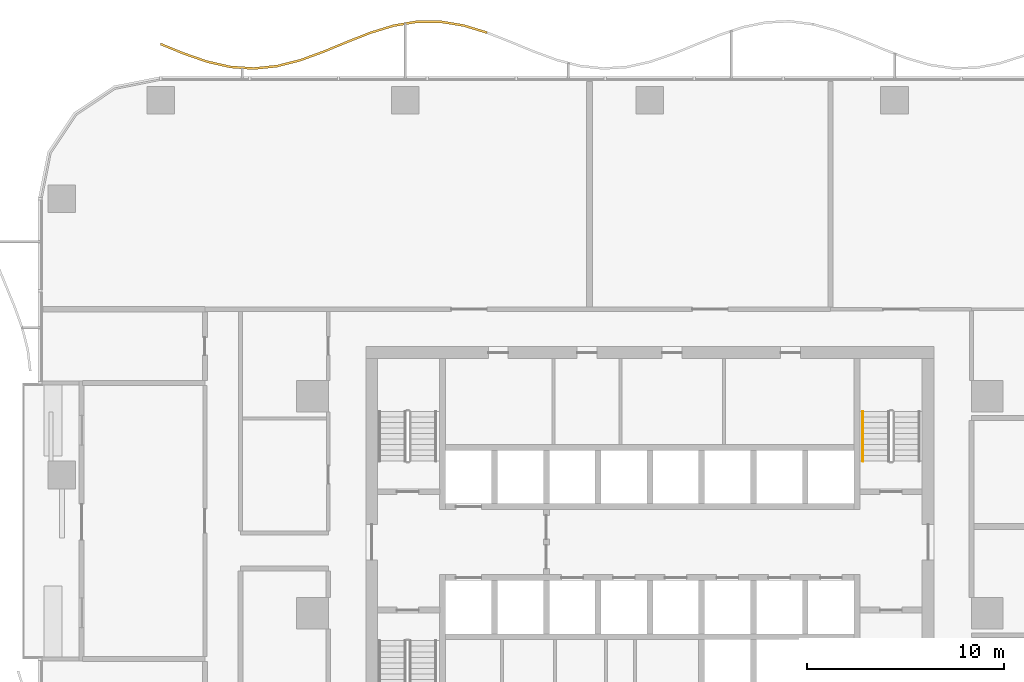
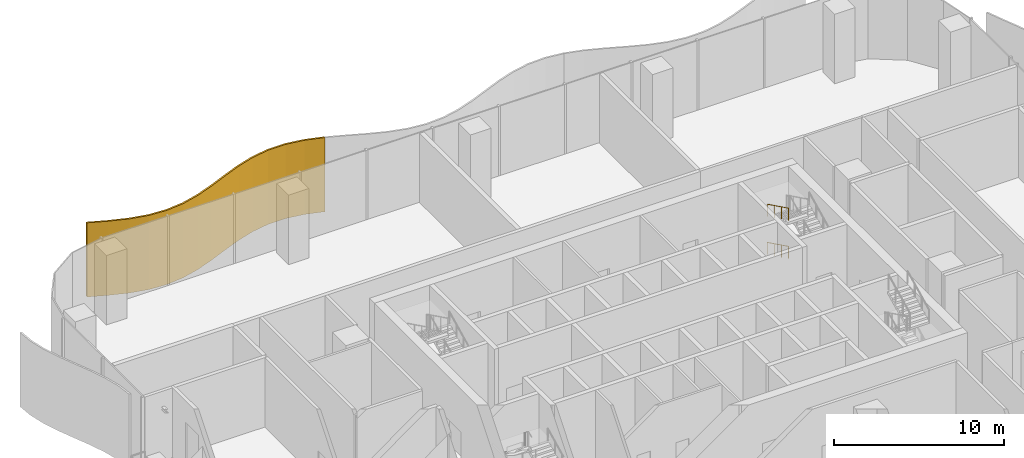
# One storey, part 18 of 20: 2 railings, 1 shading device.
"""IFC4 building model written with IfcOpenShell, lengths in metres."""

from ifc_helpers import new_model, si_unit, direction, frame, origin, origin_2d, place, context, subcontext, project, spatial, polyline, circle, outline, extrude, material, layer, layer_set, type_object, element, save


model = new_model("IFC4")

# Units and contexts
model_context = context("Model", 3, precision=1e-05, world=origin(), true_north=direction((0.0, 1.0)))
body_context = subcontext(model_context, "Body", "Model", "MODEL_VIEW")
ifc_project = project(units=[si_unit("LENGTHUNIT", "METRE"), si_unit("AREAUNIT", "SQUARE_METRE"), si_unit("VOLUMEUNIT", "CUBIC_METRE"), si_unit("PLANEANGLEUNIT", "RADIAN"), si_unit("MASSUNIT", "GRAM", prefix="KILO")], contexts=[model_context])

# Site, building, storey
site_placement = place(None, origin())
site = spatial("IfcSite", under=ifc_project, at=site_placement, CompositionType="ELEMENT")
building_placement = place(site_placement, origin())
building = spatial("IfcBuilding", under=site, at=building_placement, Name="Mopane Tessera Tower", CompositionType="ELEMENT")
storey_placement = place(building_placement, frame((0.0, 0.0, 14.5)))
storey = spatial("IfcBuildingStorey", under=building, at=storey_placement, Name="L02", CompositionType="ELEMENT", Elevation=14.5)

# Railings
ifc_material_1 = material(Name="Powder-coated steel balustrade", Category="steel")
railing_type = type_object("IfcRailingType", Name="Escape stair handrail 900 mm", PredefinedType="HANDRAIL", material=ifc_material_1)
for number, where, name in (
    (1, (10.800048828125, 10.219970703125, 1.512451171875), "L02 ST4 stair handrail 2"),
    (2, (10.800048828125, 10.219970703125, 4.262451171875), "L02 ST4 stair handrail 4"),
):
    element("IfcRailing", number, at=place(storey_placement, frame(where)), inside=storey, type_object=railing_type, Name=name, PredefinedType="HANDRAIL", context=body_context, shape_type="SweptSolid", body=[
        extrude(circle(Radius=0.02392578125, at=origin_2d()), frame((0.0, 0.0, 0.8759765625), z_axis=(0.0, -0.897604431175, 0.440801866075), x_axis=(1.0, 0.0, 0.0)), (0.0, 0.0, 1.0), 2.807373046875),
        extrude(circle(Radius=0.02099609375, at=origin_2d()), origin(), (0.0, 0.0, 1.0), 0.851806640625),
        extrude(circle(Radius=0.02099609375, at=origin_2d()), frame((0.0, -0.840087890625, 0.41259765625)), (0.0, 0.0, 1.0), 0.851806640625),
        extrude(circle(Radius=0.02099609375, at=origin_2d()), frame((0.0, -1.679931640625, 0.824951171875)), (0.0, 0.0, 1.0), 0.851806640625),
        extrude(circle(Radius=0.02099609375, at=origin_2d()), frame((0.0, -2.52001953125, 1.237548828125)), (0.0, 0.0, 1.0), 0.851806640625),
    ])

# Shading device
ifc_material_2 = material(Name="Anodised aluminium louvre blades", Category="aluminium")
ifc_layer = layer(ifc_material_2, 0.1201171875)
ifc_layer_set = layer_set([ifc_layer], Name="Anodised aluminium louvre blades")
shading_device_type = type_object("IfcShadingDeviceType", Name="Wave louvre screen", PredefinedType="JALOUSIE", material=ifc_layer_set)
shading_device_placement = place(storey_placement, frame((0.0, 0.0, -0.340087890625)))
element("IfcShadingDevice", 3, at=shading_device_placement, inside=storey, type_object=shading_device_type, Name="e:lv:L02:N:2", PredefinedType="JALOUSIE", context=body_context, shape_type="SweptSolid", body=[
    extrude(outline(polyline([(-8.2666015625, 29.364013671875), (-9.447509765625, 29.722412109375), (-10.628662109375, 29.916259765625), (-11.8095703125, 29.912841796875), (-12.990478515625, 29.713134765625), (-14.17138671875, 29.350341796875), (-15.352294921875, 28.88525390625), (-16.533447265625, 28.395751953125), (-17.71435546875, 27.964111328125), (-18.895263671875, 27.662353515625), (-20.076171875, 27.541015625), (-21.257080078125, 27.620849609375), (-22.43798828125, 27.887939453125), (-23.619140625, 28.2978515625), (-24.800048828125, 28.781982421875), (-24.800048828125, 28.90185546875), (-23.619140625, 28.41796875), (-22.43798828125, 28.008056640625), (-21.257080078125, 27.74072265625), (-20.076171875, 27.6611328125), (-18.895263671875, 27.7822265625), (-17.71435546875, 28.083984375), (-16.533447265625, 28.515869140625), (-15.352294921875, 29.00537109375), (-14.17138671875, 29.47021484375), (-12.990478515625, 29.833251953125), (-11.8095703125, 30.032958984375), (-10.628662109375, 30.0361328125), (-9.447509765625, 29.842529296875), (-8.2666015625, 29.484130859375), (-8.2666015625, 29.364013671875)])), origin(), (0.0, 0.0, 1.0), 5.340087890625),
])

save(model, "model.ifc")
